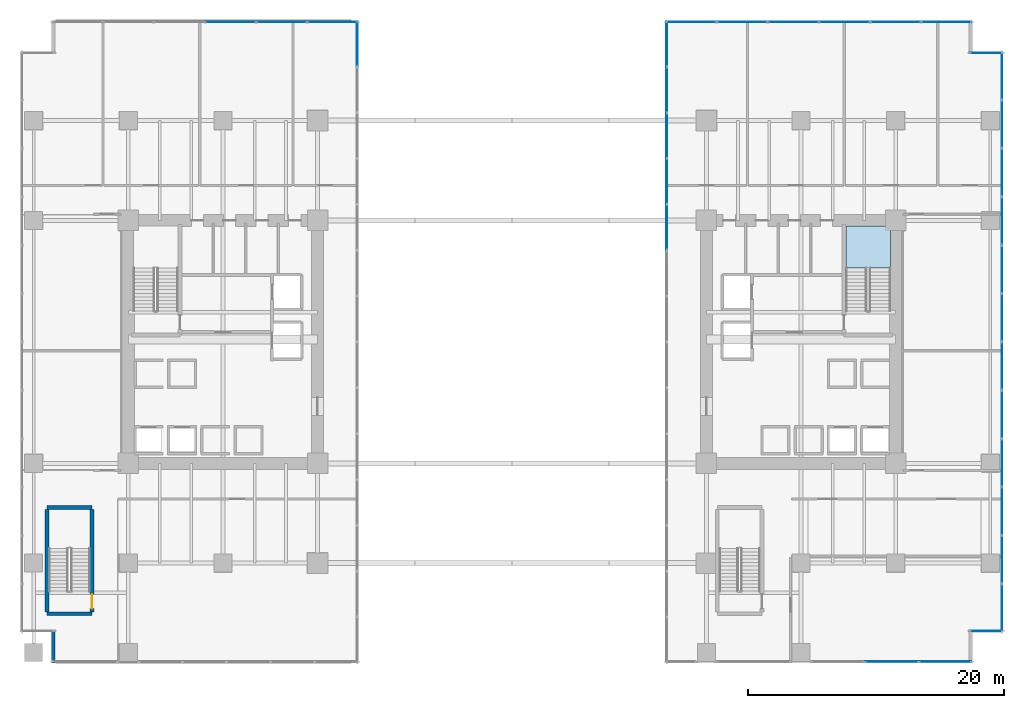
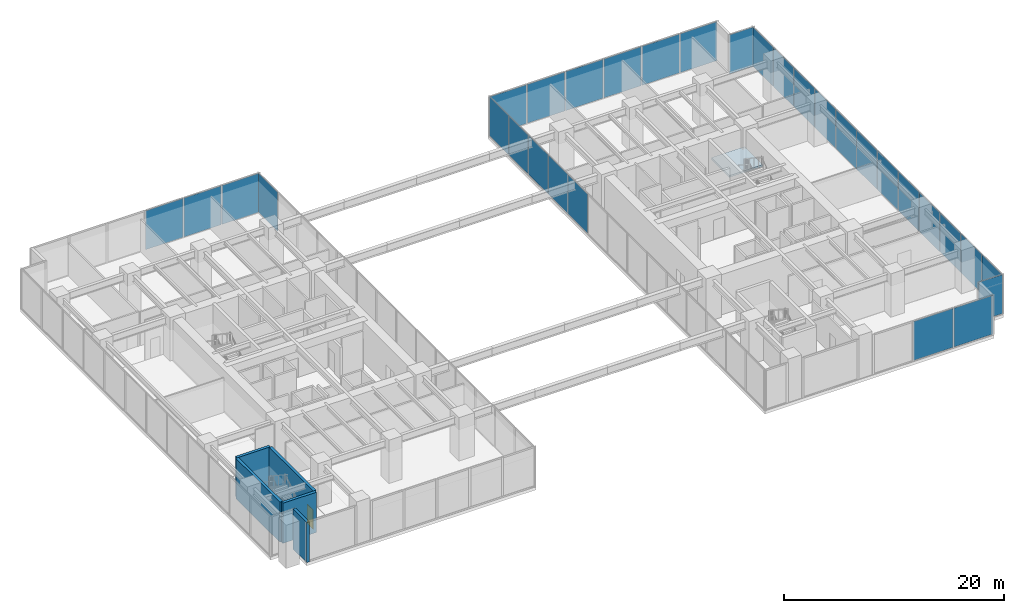
# One storey, part 29 of 39: 31 plates, 5 walls, 1 door, 1 slab, 1 opening, 9 elements without a shape of their own.
"""IFC4 building model written with IfcOpenShell, lengths in metres."""

from ifc_helpers import new_model, si_unit, direction, frame, frame_2d, origin, origin_2d, place, context, subcontext, project, spatial, polyline, rectangle, outline, extrude, source, transform, mapped, material, layer, layer_set, type_object, type_shapes, element, fill, aggregate, save


model = new_model("IFC4")

# Units and contexts
model_context = context("Model", 3, precision=1e-05, world=origin(), true_north=direction((0.0, 1.0)))
body_context = subcontext(model_context, "Body", "Model", "MODEL_VIEW")
ifc_project = project(units=[si_unit("LENGTHUNIT", "METRE"), si_unit("AREAUNIT", "SQUARE_METRE"), si_unit("VOLUMEUNIT", "CUBIC_METRE"), si_unit("PLANEANGLEUNIT", "RADIAN"), si_unit("MASSUNIT", "GRAM", prefix="KILO")], contexts=[model_context])

# Site, building, storey
site_placement = place(None, origin())
site = spatial("IfcSite", under=ifc_project, at=site_placement, CompositionType="ELEMENT")
building_placement = place(site_placement, origin())
building = spatial("IfcBuilding", under=site, at=building_placement, Name="Haelvirn Gate Laboratories", CompositionType="ELEMENT")
storey_placement = place(building_placement, frame((0.0, 0.0, 15.0)))
storey = spatial("IfcBuildingStorey", under=building, at=storey_placement, Name="L04", CompositionType="ELEMENT", Elevation=15.0)

# Stair, slab
ifc_material_1 = material(Name="Concrete C40/50", Category="concrete")
stair_type = type_object("IfcStairType", Name="ST-DOG-1650-R26", PredefinedType="HALF_TURN_STAIR", material=ifc_material_1)
stair_placement = place(storey_placement, origin())
stair = element("IfcStair", 1, at=stair_placement, inside=storey, type_object=stair_type, Name="L04 Escape Stair ST2", PredefinedType="HALF_TURN_STAIR")
ifc_layer_1 = layer(ifc_material_1, 0.199951171875, Name="SL-STAIR-LND")
ifc_layer_set_1 = layer_set([ifc_layer_1], Name="Concrete C40/50")
slab_type = type_object("IfcSlabType", Name="SL-STAIR-LND", PredefinedType="LANDING", material=ifc_layer_set_1)
slab_placement = place(storey_placement, frame((0.0, 0.0, 2.199951171875)))
slab = element("IfcSlab", 2, at=slab_placement, type_object=slab_type, Name="ST2 landing 1", PredefinedType="LANDING", context=body_context, shape_type="SweptSolid", body=[
    extrude(outline(polyline([(67.0, 30.06005859375), (67.0, 33.35009765625), (63.5, 33.35009765625), (63.5, 30.06005859375), (67.0, 30.06005859375)])), origin(), (0.0, 0.0, 1.0), 0.199951171875),
])
aggregate(stair, [slab])

# Curtain wall, plate
ifc_material_2 = material(Name="Anodised bronze unitised aluminium & triple low-E glass", Category="aluminium")
ifc_layer_2 = layer(ifc_material_2, 0.18798828125, Name="CW-SYS-1")
ifc_layer_set_2 = layer_set([ifc_layer_2], Name="Anodised bronze unitised aluminium & triple low-E glass")
curtain_wall_type_1 = type_object("IfcCurtainWallType", Name="CW-SYS-1", PredefinedType="NOTDEFINED", material=ifc_layer_set_2)
curtain_wall_1_placement = place(storey_placement, origin())
curtain_wall_1 = element("IfcCurtainWall", 3, at=curtain_wall_1_placement, inside=storey, type_object=curtain_wall_type_1, Name="L04 Unitised Curtain Wall CW-L04-P0-E01", PredefinedType="NOTDEFINED")
ifc_material_3 = material(Name="Bronze solar-control triple low-E IGU 48 mm", Category="glass")
ifc_layer_3 = layer(ifc_material_3, 0.048095703125, Name="CWP-IGU-48")
ifc_layer_set_3 = layer_set([ifc_layer_3], Name="Bronze solar-control triple low-E IGU 48 mm")
plate_type_1 = type_object("IfcPlateType", Name="CWP-IGU-48", PredefinedType="CURTAIN_PANEL", material=ifc_layer_set_3)
shared_shape_1 = source(origin(), body_context, "Body", "SweptSolid", [
    extrude(rectangle(XDim=3.4658203125, YDim=0.048095703125, at=origin_2d()), origin(), (0.0, 0.0, 1.0), 4.31005859375),
])
plate_1_placement = place(storey_placement, frame((25.300048828125, 47.587158203125, 0.070068359375), z_axis=(0.0, 0.0, 1.0), x_axis=(0.0, 1.0, 0.0)))
plate_1 = element("IfcPlate", 4, at=plate_1_placement, type_object=plate_type_1, Name="CW1 panel 14.1", PredefinedType="CURTAIN_PANEL", context=body_context, shape_type="MappedRepresentation", body=[
    mapped(shared_shape_1, transform((0.0, 0.0, 0.0), scale=1.0)),
])
aggregate(curtain_wall_1, [plate_1])

# Curtain wall, plates
curtain_wall_2_placement = place(storey_placement, origin())
curtain_wall_2 = element("IfcCurtainWall", 5, at=curtain_wall_2_placement, inside=storey, type_object=curtain_wall_type_1, Name="L04 Unitised Curtain Wall CW-L04-P1-E07", PredefinedType="NOTDEFINED")
plate_2_placement = place(storey_placement, frame((49.5, 47.587158203125, 0.070068359375), z_axis=(0.0, 0.0, 1.0), x_axis=(0.0, -1.0, 0.0)))
plate_2 = element("IfcPlate", 6, at=plate_2_placement, type_object=plate_type_1, Name="CW1 panel 1.1", PredefinedType="CURTAIN_PANEL", context=body_context, shape_type="MappedRepresentation", body=[
    mapped(shared_shape_1, transform((0.0, 0.0, 0.0), scale=1.0)),
])
shared_shape_2 = source(origin(), body_context, "Body", "SweptSolid", [
    extrude(rectangle(XDim=3.505615234375, YDim=0.048095703125, at=origin_2d()), origin(), (0.0, 0.0, 1.0), 4.31005859375),
])
plate_3_placement = place(storey_placement, frame((49.5, 44.021484375, 0.070068359375), z_axis=(0.0, 0.0, 1.0), x_axis=(0.0, -1.0, 0.0)))
plate_3 = element("IfcPlate", 7, at=plate_3_placement, type_object=plate_type_1, Name="CW1 panel 2.1", PredefinedType="CURTAIN_PANEL", context=body_context, shape_type="MappedRepresentation", body=[
    mapped(shared_shape_2, transform((0.0, 0.0, 0.0), scale=1.0)),
])
plate_4_placement = place(storey_placement, frame((49.5, 40.435791015625, 0.070068359375), z_axis=(0.0, 0.0, 1.0), x_axis=(0.0, -1.0, 0.0)))
plate_4 = element("IfcPlate", 8, at=plate_4_placement, type_object=plate_type_1, Name="CW1 panel 3.1", PredefinedType="CURTAIN_PANEL", context=body_context, shape_type="MappedRepresentation", body=[
    mapped(shared_shape_2, transform((0.0, 0.0, 0.0), scale=1.0)),
])
plate_5_placement = place(storey_placement, frame((49.5, 36.85009765625, 0.070068359375), z_axis=(0.0, 0.0, 1.0), x_axis=(0.0, -1.0, 0.0)))
plate_5 = element("IfcPlate", 9, at=plate_5_placement, type_object=plate_type_1, Name="CW1 panel 4.1", PredefinedType="CURTAIN_PANEL", context=body_context, shape_type="MappedRepresentation", body=[
    mapped(shared_shape_2, transform((0.0, 0.0, 0.0), scale=1.0)),
])
plate_6_placement = place(storey_placement, frame((49.5, 33.264404296875, 0.070068359375), z_axis=(0.0, 0.0, 1.0), x_axis=(0.0, -1.0, 0.0)))
plate_6 = element("IfcPlate", 10, at=plate_6_placement, type_object=plate_type_1, Name="CW1 panel 5.1", PredefinedType="CURTAIN_PANEL", context=body_context, shape_type="MappedRepresentation", body=[
    mapped(shared_shape_2, transform((0.0, 0.0, 0.0), scale=1.0)),
])
aggregate(curtain_wall_2, [plate_2, plate_3, plate_4, plate_5, plate_6])

# Curtain wall, plate
curtain_wall_3_placement = place(storey_placement, origin())
curtain_wall_3 = element("IfcCurtainWall", 11, at=curtain_wall_3_placement, inside=storey, type_object=curtain_wall_type_1, Name="L04 Unitised Curtain Wall CW-L04-P0-E02-1", PredefinedType="NOTDEFINED")
shared_shape_3 = source(origin(), body_context, "Body", "SweptSolid", [
    extrude(rectangle(XDim=3.8798828125, YDim=0.048095703125, at=origin_2d()), origin(), (0.0, 0.0, 1.0), 4.31005859375),
])
plate_7_placement = place(storey_placement, frame((23.3798828125, 49.300048828125, 0.070068359375), z_axis=(0.0, 0.0, 1.0), x_axis=(1.0, 0.0, 0.0)))
plate_7 = element("IfcPlate", 12, at=plate_7_placement, type_object=plate_type_1, Name="CW1 panel 6.1", PredefinedType="CURTAIN_PANEL", context=body_context, shape_type="MappedRepresentation", body=[
    mapped(shared_shape_3, transform((0.0, 0.0, 0.0), scale=1.0)),
])

# Curtain wall, plates
curtain_wall_4_placement = place(storey_placement, origin())
curtain_wall_4 = element("IfcCurtainWall", 13, at=curtain_wall_4_placement, inside=storey, type_object=curtain_wall_type_1, Name="L04 Unitised Curtain Wall CW-L04-P1-E06-1", PredefinedType="NOTDEFINED")
plate_8_placement = place(storey_placement, frame((51.419921875, 49.300048828125, 0.070068359375), z_axis=(0.0, 0.0, 1.0), x_axis=(1.0, 0.0, 0.0)))
plate_8 = element("IfcPlate", 14, at=plate_8_placement, type_object=plate_type_1, Name="CW1 panel 1.1", PredefinedType="CURTAIN_PANEL", context=body_context, shape_type="MappedRepresentation", body=[
    mapped(shared_shape_3, transform((0.0, 0.0, 0.0), scale=1.0)),
])
plate_9_placement = place(storey_placement, frame((71.3798828125, 49.300048828125, 0.070068359375), z_axis=(0.0, 0.0, 1.0), x_axis=(1.0, 0.0, 0.0)))
plate_9 = element("IfcPlate", 15, at=plate_9_placement, type_object=plate_type_1, Name="CW1 panel 6.1", PredefinedType="CURTAIN_PANEL", context=body_context, shape_type="MappedRepresentation", body=[
    mapped(shared_shape_3, transform((0.0, 0.0, 0.0), scale=1.0)),
])

# Plate
shared_shape_4 = source(origin(), body_context, "Body", "SweptSolid", [
    extrude(rectangle(XDim=3.919921875, YDim=0.048095703125, at=origin_2d()), origin(), (0.0, 0.0, 1.0), 4.31005859375),
])
plate_10_placement = place(storey_placement, frame((15.39990234375, 49.300048828125, 0.070068359375), z_axis=(0.0, 0.0, 1.0), x_axis=(1.0, 0.0, 0.0)))
plate_10 = element("IfcPlate", 16, at=plate_10_placement, type_object=plate_type_1, Name="CW1 panel 4.1", PredefinedType="CURTAIN_PANEL", context=body_context, shape_type="MappedRepresentation", body=[
    mapped(shared_shape_4, transform((0.0, 0.0, 0.0), scale=1.0)),
])

plate_11_placement = place(storey_placement, frame((19.39990234375, 49.300048828125, 0.070068359375), z_axis=(0.0, 0.0, 1.0), x_axis=(1.0, 0.0, 0.0)))
plate_11 = element("IfcPlate", 17, at=plate_11_placement, type_object=plate_type_1, Name="CW1 panel 5.1", PredefinedType="CURTAIN_PANEL", context=body_context, shape_type="MappedRepresentation", body=[
    mapped(shared_shape_4, transform((0.0, 0.0, 0.0), scale=1.0)),
])

aggregate(curtain_wall_3, [plate_10, plate_11, plate_7])

plate_12_placement = place(storey_placement, frame((55.39990234375, 49.300048828125, 0.070068359375), z_axis=(0.0, 0.0, 1.0), x_axis=(1.0, 0.0, 0.0)))
plate_12 = element("IfcPlate", 18, at=plate_12_placement, type_object=plate_type_1, Name="CW1 panel 2.1", PredefinedType="CURTAIN_PANEL", context=body_context, shape_type="MappedRepresentation", body=[
    mapped(shared_shape_4, transform((0.0, 0.0, 0.0), scale=1.0)),
])

plate_13_placement = place(storey_placement, frame((59.39990234375, 49.300048828125, 0.070068359375), z_axis=(0.0, 0.0, 1.0), x_axis=(1.0, 0.0, 0.0)))
plate_13 = element("IfcPlate", 19, at=plate_13_placement, type_object=plate_type_1, Name="CW1 panel 3.1", PredefinedType="CURTAIN_PANEL", context=body_context, shape_type="MappedRepresentation", body=[
    mapped(shared_shape_4, transform((0.0, 0.0, 0.0), scale=1.0)),
])

plate_14_placement = place(storey_placement, frame((63.39990234375, 49.300048828125, 0.070068359375), z_axis=(0.0, 0.0, 1.0), x_axis=(1.0, 0.0, 0.0)))
plate_14 = element("IfcPlate", 20, at=plate_14_placement, type_object=plate_type_1, Name="CW1 panel 4.1", PredefinedType="CURTAIN_PANEL", context=body_context, shape_type="MappedRepresentation", body=[
    mapped(shared_shape_4, transform((0.0, 0.0, 0.0), scale=1.0)),
])

plate_15_placement = place(storey_placement, frame((67.39990234375, 49.300048828125, 0.070068359375), z_axis=(0.0, 0.0, 1.0), x_axis=(1.0, 0.0, 0.0)))
plate_15 = element("IfcPlate", 21, at=plate_15_placement, type_object=plate_type_1, Name="CW1 panel 5.1", PredefinedType="CURTAIN_PANEL", context=body_context, shape_type="MappedRepresentation", body=[
    mapped(shared_shape_4, transform((0.0, 0.0, 0.0), scale=1.0)),
])

aggregate(curtain_wall_4, [plate_8, plate_12, plate_13, plate_14, plate_15, plate_9])

# Curtain wall, plate
ifc_layer_4 = layer(ifc_material_2, 0.181884765625, Name="CW-SYS-5")
ifc_layer_set_4 = layer_set([ifc_layer_4], Name="Anodised bronze unitised aluminium & triple low-E glass")
curtain_wall_type_2 = type_object("IfcCurtainWallType", Name="CW-SYS-5", PredefinedType="NOTDEFINED", material=ifc_layer_set_4)
curtain_wall_5_placement = place(storey_placement, origin())
curtain_wall_5 = element("IfcCurtainWall", 22, at=curtain_wall_5_placement, inside=storey, type_object=curtain_wall_type_2, Name="L04 Unitised Curtain Wall CW-L04-P1-E02-1", PredefinedType="NOTDEFINED")
ifc_material_4 = material(Name="Clear low-iron notched-corner triple IGU 42 mm", Category="glass")
ifc_layer_5 = layer(ifc_material_4, 0.0419921875, Name="CWP-NTC-42")
ifc_layer_set_5 = layer_set([ifc_layer_5], Name="Clear low-iron notched-corner triple IGU 42 mm")
plate_type_2 = type_object("IfcPlateType", Name="CWP-NTC-42", PredefinedType="CURTAIN_PANEL", material=ifc_layer_set_5)
shared_shape_5 = source(origin(), body_context, "Body", "SweptSolid", [
    extrude(rectangle(XDim=2.47998046875, YDim=0.0419921875, at=origin_2d()), origin(), (0.0, 0.0, 1.0), 4.320068359375),
])
type_shapes(plate_type_2, [shared_shape_5])
plate_16_placement = place(storey_placement, frame((74.47998046875, 1.699951171875, 0.06494140625), z_axis=(0.0, 0.0, 1.0), x_axis=(1.0, 0.0, 0.0)))
plate_16 = element("IfcPlate", 23, at=plate_16_placement, type_object=plate_type_2, Name="CW5 panel 1.1", PredefinedType="CURTAIN_PANEL", context=body_context, shape_type="MappedRepresentation", body=[
    mapped(shared_shape_5, transform((0.0, 0.0, 0.0), scale=1.0)),
])
aggregate(curtain_wall_5, [plate_16])

curtain_wall_6_placement = place(storey_placement, origin())
curtain_wall_6 = element("IfcCurtainWall", 24, at=curtain_wall_6_placement, inside=storey, type_object=curtain_wall_type_2, Name="L04 Unitised Curtain Wall CW-L04-P1-E04-1", PredefinedType="NOTDEFINED")
plate_17_placement = place(storey_placement, frame((74.47998046875, 46.89990234375, 0.06494140625), z_axis=(0.0, 0.0, 1.0), x_axis=(1.0, 0.0, 0.0)))
plate_17 = element("IfcPlate", 25, at=plate_17_placement, type_object=plate_type_2, Name="CW5 panel 1.1", PredefinedType="CURTAIN_PANEL", context=body_context, shape_type="MappedRepresentation", body=[
    mapped(shared_shape_5, transform((0.0, 0.0, 0.0), scale=1.0)),
])
aggregate(curtain_wall_6, [plate_17])

# Curtain wall, plates
curtain_wall_7_placement = place(storey_placement, origin())
curtain_wall_7 = element("IfcCurtainWall", 26, at=curtain_wall_7_placement, inside=storey, type_object=curtain_wall_type_1, Name="L04 Unitised Curtain Wall CW-L04-P1-E03", PredefinedType="NOTDEFINED")
shared_shape_6 = source(origin(), body_context, "Body", "SweptSolid", [
    extrude(rectangle(XDim=3.663330078125, YDim=0.048095703125, at=origin_2d()), origin(), (0.0, 0.0, 1.0), 4.31005859375),
])
plate_18_placement = place(storey_placement, frame((75.699951171875, 3.51171875, 0.070068359375), z_axis=(0.0, 0.0, 1.0), x_axis=(0.0, 1.0, 0.0)))
plate_18 = element("IfcPlate", 27, at=plate_18_placement, type_object=plate_type_1, Name="CW1 panel 1.1", PredefinedType="CURTAIN_PANEL", context=body_context, shape_type="MappedRepresentation", body=[
    mapped(shared_shape_6, transform((0.0, 0.0, 0.0), scale=1.0)),
])
plate_19_placement = place(storey_placement, frame((75.699951171875, 45.08837890625, 0.070068359375), z_axis=(0.0, 0.0, 1.0), x_axis=(0.0, 1.0, 0.0)))
plate_19 = element("IfcPlate", 28, at=plate_19_placement, type_object=plate_type_1, Name="CW1 panel 12.1", PredefinedType="CURTAIN_PANEL", context=body_context, shape_type="MappedRepresentation", body=[
    mapped(shared_shape_6, transform((0.0, 0.0, 0.0), scale=1.0)),
])
shared_shape_7 = source(origin(), body_context, "Body", "SweptSolid", [
    extrude(rectangle(XDim=3.703369140625, YDim=0.048095703125, at=origin_2d()), origin(), (0.0, 0.0, 1.0), 4.31005859375),
])
plate_20_placement = place(storey_placement, frame((75.699951171875, 7.27490234375, 0.070068359375), z_axis=(0.0, 0.0, 1.0), x_axis=(0.0, 1.0, 0.0)))
plate_20 = element("IfcPlate", 29, at=plate_20_placement, type_object=plate_type_1, Name="CW1 panel 2.1", PredefinedType="CURTAIN_PANEL", context=body_context, shape_type="MappedRepresentation", body=[
    mapped(shared_shape_7, transform((0.0, 0.0, 0.0), scale=1.0)),
])
plate_21_placement = place(storey_placement, frame((75.699951171875, 11.058349609375, 0.070068359375), z_axis=(0.0, 0.0, 1.0), x_axis=(0.0, 1.0, 0.0)))
plate_21 = element("IfcPlate", 30, at=plate_21_placement, type_object=plate_type_1, Name="CW1 panel 3.1", PredefinedType="CURTAIN_PANEL", context=body_context, shape_type="MappedRepresentation", body=[
    mapped(shared_shape_7, transform((0.0, 0.0, 0.0), scale=1.0)),
])
plate_22_placement = place(storey_placement, frame((75.699951171875, 14.841552734375, 0.070068359375), z_axis=(0.0, 0.0, 1.0), x_axis=(0.0, 1.0, 0.0)))
plate_22 = element("IfcPlate", 31, at=plate_22_placement, type_object=plate_type_1, Name="CW1 panel 4.1", PredefinedType="CURTAIN_PANEL", context=body_context, shape_type="MappedRepresentation", body=[
    mapped(shared_shape_7, transform((0.0, 0.0, 0.0), scale=1.0)),
])
plate_23_placement = place(storey_placement, frame((75.699951171875, 18.625, 0.070068359375), z_axis=(0.0, 0.0, 1.0), x_axis=(0.0, 1.0, 0.0)))
plate_23 = element("IfcPlate", 32, at=plate_23_placement, type_object=plate_type_1, Name="CW1 panel 5.1", PredefinedType="CURTAIN_PANEL", context=body_context, shape_type="MappedRepresentation", body=[
    mapped(shared_shape_7, transform((0.0, 0.0, 0.0), scale=1.0)),
])
plate_24_placement = place(storey_placement, frame((75.699951171875, 22.408447265625, 0.070068359375), z_axis=(0.0, 0.0, 1.0), x_axis=(0.0, 1.0, 0.0)))
plate_24 = element("IfcPlate", 33, at=plate_24_placement, type_object=plate_type_1, Name="CW1 panel 6.1", PredefinedType="CURTAIN_PANEL", context=body_context, shape_type="MappedRepresentation", body=[
    mapped(shared_shape_7, transform((0.0, 0.0, 0.0), scale=1.0)),
])
plate_25_placement = place(storey_placement, frame((75.699951171875, 26.191650390625, 0.070068359375), z_axis=(0.0, 0.0, 1.0), x_axis=(0.0, 1.0, 0.0)))
plate_25 = element("IfcPlate", 34, at=plate_25_placement, type_object=plate_type_1, Name="CW1 panel 7.1", PredefinedType="CURTAIN_PANEL", context=body_context, shape_type="MappedRepresentation", body=[
    mapped(shared_shape_7, transform((0.0, 0.0, 0.0), scale=1.0)),
])
plate_26_placement = place(storey_placement, frame((75.699951171875, 29.97509765625, 0.070068359375), z_axis=(0.0, 0.0, 1.0), x_axis=(0.0, 1.0, 0.0)))
plate_26 = element("IfcPlate", 35, at=plate_26_placement, type_object=plate_type_1, Name="CW1 panel 8.1", PredefinedType="CURTAIN_PANEL", context=body_context, shape_type="MappedRepresentation", body=[
    mapped(shared_shape_7, transform((0.0, 0.0, 0.0), scale=1.0)),
])
plate_27_placement = place(storey_placement, frame((75.699951171875, 33.75830078125, 0.070068359375), z_axis=(0.0, 0.0, 1.0), x_axis=(0.0, 1.0, 0.0)))
plate_27 = element("IfcPlate", 36, at=plate_27_placement, type_object=plate_type_1, Name="CW1 panel 9.1", PredefinedType="CURTAIN_PANEL", context=body_context, shape_type="MappedRepresentation", body=[
    mapped(shared_shape_7, transform((0.0, 0.0, 0.0), scale=1.0)),
])
plate_28_placement = place(storey_placement, frame((75.699951171875, 37.541748046875, 0.070068359375), z_axis=(0.0, 0.0, 1.0), x_axis=(0.0, 1.0, 0.0)))
plate_28 = element("IfcPlate", 37, at=plate_28_placement, type_object=plate_type_1, Name="CW1 panel 10.1", PredefinedType="CURTAIN_PANEL", context=body_context, shape_type="MappedRepresentation", body=[
    mapped(shared_shape_7, transform((0.0, 0.0, 0.0), scale=1.0)),
])
plate_29_placement = place(storey_placement, frame((75.699951171875, 41.324951171875, 0.070068359375), z_axis=(0.0, 0.0, 1.0), x_axis=(0.0, 1.0, 0.0)))
plate_29 = element("IfcPlate", 38, at=plate_29_placement, type_object=plate_type_1, Name="CW1 panel 11.1", PredefinedType="CURTAIN_PANEL", context=body_context, shape_type="MappedRepresentation", body=[
    mapped(shared_shape_7, transform((0.0, 0.0, 0.0), scale=1.0)),
])
aggregate(curtain_wall_7, [plate_18, plate_20, plate_21, plate_22, plate_23, plate_24, plate_25, plate_26, plate_27, plate_28, plate_29, plate_19])

curtain_wall_8_placement = place(storey_placement, origin())
curtain_wall_8 = element("IfcCurtainWall", 39, at=curtain_wall_8_placement, inside=storey, type_object=curtain_wall_type_1, Name="L04 Unitised Curtain Wall CW-L04-P1-E00-1-S3", PredefinedType="NOTDEFINED")
shared_shape_8 = source(origin(), body_context, "Body", "SweptSolid", [
    extrude(rectangle(XDim=4.086669921875, YDim=0.048095703125, at=origin_2d()), origin(), (0.0, 0.0, 1.0), 4.31005859375),
])
plate_30_placement = place(storey_placement, frame((71.276611328125, -0.699951171875, 0.070068359375), z_axis=(0.0, 0.0, 1.0), x_axis=(1.0, 0.0, 0.0)))
plate_30 = element("IfcPlate", 40, at=plate_30_placement, type_object=plate_type_1, Name="CW1 panel 3.1", PredefinedType="CURTAIN_PANEL", context=body_context, shape_type="MappedRepresentation", body=[
    mapped(shared_shape_8, transform((0.0, 0.0, 0.0), scale=1.0)),
])
shared_shape_9 = source(origin(), body_context, "Body", "SweptSolid", [
    extrude(rectangle(XDim=4.126708984375, YDim=0.048095703125, at=origin_2d()), origin(), (0.0, 0.0, 1.0), 4.31005859375),
])
type_shapes(plate_type_1, [shared_shape_1, shared_shape_2, shared_shape_3, shared_shape_4, shared_shape_6, shared_shape_7, shared_shape_8, shared_shape_9])
plate_31_placement = place(storey_placement, frame((67.090087890625, -0.699951171875, 0.070068359375), z_axis=(0.0, 0.0, 1.0), x_axis=(1.0, 0.0, 0.0)))
plate_31 = element("IfcPlate", 41, at=plate_31_placement, type_object=plate_type_1, Name="CW1 panel 2.1", PredefinedType="CURTAIN_PANEL", context=body_context, shape_type="MappedRepresentation", body=[
    mapped(shared_shape_9, transform((0.0, 0.0, 0.0), scale=1.0)),
])
aggregate(curtain_wall_8, [plate_31, plate_30])

# Walls
ifc_material_5 = material(Name="Thermally-broken bronze aluminium rainscreen & mineral wool", Category="aluminium")
ifc_layer_6 = layer(ifc_material_5, 0.280029296875, Name="EW-TERR-280")
ifc_layer_set_6 = layer_set([ifc_layer_6], Name="Thermally-broken bronze aluminium rainscreen & mineral wool")
wall_type_1 = type_object("IfcWallType", Name="EW-TERR-280", PredefinedType="STANDARD", material=ifc_layer_set_6)
wall_1_placement = place(storey_placement, frame((1.5400390625, 1.68798828125, 0.0), z_axis=(0.0, 0.0, 1.0), x_axis=(0.0, -1.0, 0.0)))
element("IfcWall", 42, at=wall_1_placement, inside=storey, type_object=wall_type_1, Name="L04 Atrium Recess Bronze Return Wall 07", PredefinedType="STANDARD", context=body_context, shape_type="SweptSolid", body=[
    extrude(rectangle(XDim=2.488037109375, YDim=0.280029296875, at=frame_2d((1.244140625, 0.0))), origin(), (0.0, 0.0, 1.0), 4.449951171875),
])
ifc_material_6 = material(Name="Concrete C50/60", Category="concrete")
ifc_layer_7 = layer(ifc_material_6, 0.300048828125, Name="SW-STAIR-300")
ifc_layer_set_7 = layer_set([ifc_layer_7], Name="Concrete C50/60")
wall_type_2 = type_object("IfcWallType", Name="SW-STAIR-300", PredefinedType="SHEAR", material=ifc_layer_set_7)
for number, where, z_axis, x_axis, name in (
    (43, (1.050048828125, 3.050048828125, 0.0), (0.0, 0.0, 1.0), (1.0, 0.0, 0.0), "L04 Podium Stair ST3 Structural Wall S"),
    (44, (1.050048828125, 11.35009765625, 0.0), (0.0, 0.0, 1.0), (1.0, 0.0, 0.0), "L04 Podium Stair ST3 Structural Wall N"),
):
    element("IfcWall", number, at=place(storey_placement, frame(where, z_axis=z_axis, x_axis=x_axis)), inside=storey, type_object=wall_type_2, Name=name, PredefinedType="SHEAR", context=body_context, shape_type="SweptSolid", body=[
        extrude(rectangle(XDim=3.5, YDim=0.300048828125, at=frame_2d((1.75, 0.0))), origin(), (0.0, 0.0, 1.0), 4.449951171875),
    ])
wall_2_placement = place(storey_placement, frame((1.050048828125, 3.199951171875, 0.0), z_axis=(0.0, 0.0, 1.0), x_axis=(0.0, 1.0, 0.0)))
element("IfcWall", 45, at=wall_2_placement, inside=storey, type_object=wall_type_2, Name="L04 Podium Stair ST3 Structural Wall W", PredefinedType="SHEAR", context=body_context, shape_type="SweptSolid", body=[
    extrude(rectangle(XDim=8.0, YDim=0.300048828125, at=frame_2d((4.0, 0.0))), origin(), (0.0, 0.0, 1.0), 4.449951171875),
])

# Wall, opening, door
wall_3_placement = place(storey_placement, frame((4.550048828125, 3.199951171875, 0.0), z_axis=(0.0, 0.0, 1.0), x_axis=(0.0, 1.0, 0.0)))
wall_3 = element("IfcWall", 46, at=wall_3_placement, inside=storey, type_object=wall_type_2, Name="L04 Podium Stair ST3 Structural Wall E", PredefinedType="SHEAR", context=body_context, shape_type="SweptSolid", body=[
    extrude(rectangle(XDim=8.0, YDim=0.300048828125, at=frame_2d((4.0, 0.0))), origin(), (0.0, 0.0, 1.0), 4.449951171875),
])
opening_placement = place(wall_3_placement, frame((0.25, 0.0, 0.0)))
opening = element("IfcOpeningElement", 47, at=opening_placement, cuts=wall_3, Name="Opening FD3", PredefinedType="OPENING", context=body_context, shape_type="SweptSolid", body=[
    extrude(rectangle(XDim=1.10009765625, YDim=2.14990234375, at=frame_2d((0.550048828125, 1.074951171875))), frame((0.0, 0.16015625, 0.0), z_axis=(0.0, -1.0, 0.0), x_axis=(1.0, 0.0, 0.0)), (0.0, 0.0, 1.0), 0.320068359375),
])
ifc_material_7 = material(Name="Fire-rated steel SM355 escape stair door", Category="steel")
door_type = type_object("IfcDoorType", Name="DR-FD-1100", OperationType="NOTDEFINED", PredefinedType="DOOR", material=ifc_material_7)
shared_shape_10 = source(origin(), body_context, "Body", "SweptSolid", [
    extrude(rectangle(XDim=1.10009765625, YDim=2.14990234375, at=frame_2d((0.550048828125, 1.074951171875))), frame((0.0, 0.02490234375, 0.0), z_axis=(0.0, -1.0, 0.0), x_axis=(1.0, 0.0, 0.0)), (0.0, 0.0, 1.0), 0.050048828125),
])
type_shapes(door_type, [shared_shape_10])
door_placement = place(opening_placement, origin())
door = element("IfcDoor", 48, at=door_placement, inside=storey, type_object=door_type, Name="L04 Escape Stair ST3 Fire Door", OperationType="SINGLE_SWING_RIGHT", OverallHeight=2.14990234375, OverallWidth=1.10009765625, PredefinedType="DOOR", context=body_context, shape_type="MappedRepresentation", body=[
    mapped(shared_shape_10, transform((0.0, 0.0, 0.0), scale=1.0)),
])
fill(opening, door)

save(model, "model.ifc")
